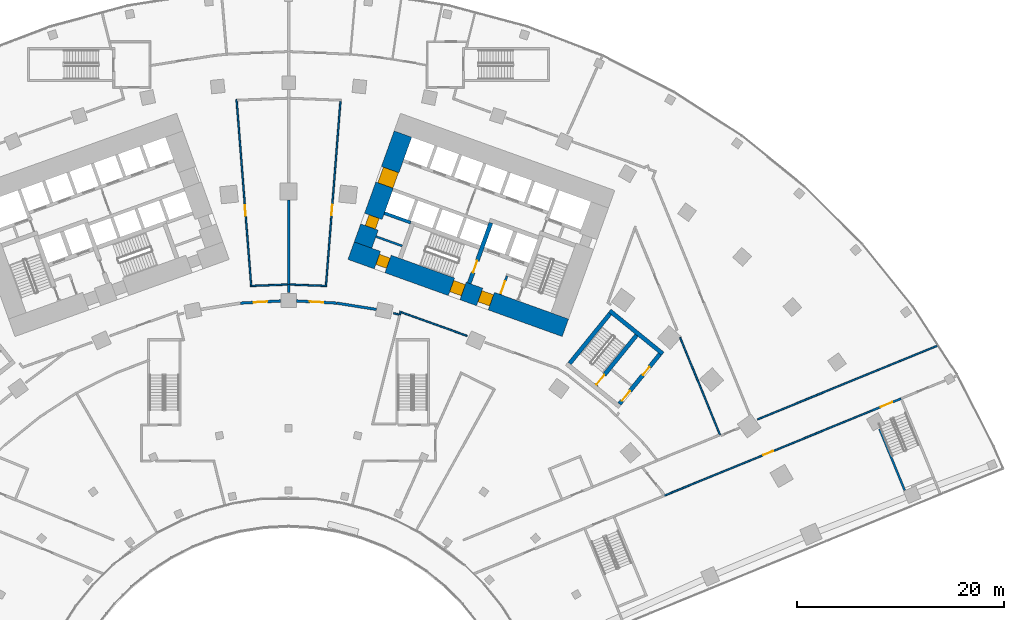
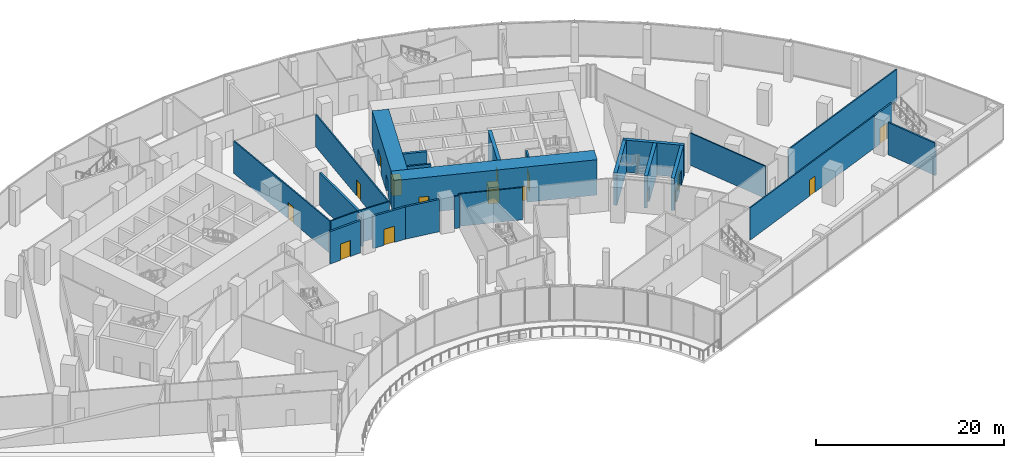
# One storey, part 26 of 39: 27 walls, 16 doors, 16 openings.
"""IFC4 building model written with IfcOpenShell, lengths in metres."""

from ifc_helpers import new_model, si_unit, direction, frame, frame_2d, origin, place, context, subcontext, project, spatial, rectangle, extrude, material, layer, layer_set, type_object, element, fill, save


model = new_model("IFC4")

# Units and contexts
model_context = context("Model", 3, precision=1e-05, world=origin(), true_north=direction((0.0, 1.0)))
body_context = subcontext(model_context, "Body", "Model", "MODEL_VIEW")
ifc_project = project(units=[si_unit("LENGTHUNIT", "METRE"), si_unit("AREAUNIT", "SQUARE_METRE"), si_unit("VOLUMEUNIT", "CUBIC_METRE"), si_unit("PLANEANGLEUNIT", "RADIAN"), si_unit("MASSUNIT", "GRAM", prefix="KILO")], contexts=[model_context])

# Site, building, storey
site_placement = place(None, origin())
site = spatial("IfcSite", under=ifc_project, at=site_placement, CompositionType="ELEMENT")
building_placement = place(site_placement, origin())
building = spatial("IfcBuilding", under=site, at=building_placement, Name="Stone Belt Terrace Tower", CompositionType="ELEMENT")
storey_placement = place(building_placement, frame((0.0, 0.0, 16.199951171875)))
storey = spatial("IfcBuildingStorey", under=building, at=storey_placement, Name="L03", CompositionType="ELEMENT", Elevation=16.199951171875)

# Wall
ifc_material_1 = material(Name="Concrete B30", Category="concrete")
ifc_layer_1 = layer(ifc_material_1, 0.25)
ifc_layer_set_1 = layer_set([ifc_layer_1], Name="Compartment wall 250")
wall_type_1 = type_object("IfcWallType", Name="Compartment wall 250", PredefinedType="SOLIDWALL", material=ifc_layer_set_1)
wall_1_placement = place(storey_placement, frame((0.0, 46.0, 0.0), z_axis=(0.0, 0.0, 1.0), x_axis=(0.0, 1.0, 0.0)))
element("IfcWall", 1, at=wall_1_placement, inside=storey, type_object=wall_type_1, Name="Compartment wall L03 8", PredefinedType="SOLIDWALL", context=body_context, shape_type="SweptSolid", body=[
    extrude(rectangle(XDim=8.155029296875, YDim=0.25, at=frame_2d((4.07763671875, 0.0))), origin(), (0.0, 0.0, 1.0), 4.199951171875),
])

# Wall, openings, doors
ifc_material_2 = material(Name="Concrete B80", Category="concrete")
ifc_layer_2 = layer(ifc_material_2, 1.800048828125)
ifc_layer_set_2 = layer_set([ifc_layer_2], Name="Core wall 1800 B80")
wall_type_2 = type_object("IfcWallType", Name="Core wall 1800 B80", PredefinedType="SHEAR", material=ifc_layer_set_2)
wall_2_placement = place(storey_placement, frame((6.039306640625, 49.265380859375, 0.0), z_axis=(0.0, 0.0, 1.0), x_axis=(0.940921642213, -0.338624368902, 0.0)))
wall_2 = element("IfcWall", 2, at=wall_2_placement, inside=storey, type_object=wall_type_2, Name="Core B wall concave L03", PredefinedType="SHEAR", context=body_context, shape_type="SweptSolid", body=[
    extrude(rectangle(XDim=22.0, YDim=1.800048828125, at=frame_2d((11.0, 0.0))), origin(), (0.0, 0.0, 1.0), 4.60009765625),
])
opening_1_placement = place(wall_2_placement, frame((13.199951171875, 0.0, 0.0)))
opening_1 = element("IfcOpeningElement", 3, at=opening_1_placement, cuts=wall_2, Name="Opening L03-C18", PredefinedType="OPENING", context=body_context, shape_type="SweptSolid", body=[
    extrude(rectangle(XDim=1.199951171875, YDim=2.10009765625, at=frame_2d((0.60009765625, 1.050048828125))), frame((0.0, 0.909912109375, 0.0), z_axis=(0.0, -1.0, 0.0), x_axis=(1.0, 0.0, 0.0)), (0.0, 0.0, 1.0), 1.820068359375),
])
opening_2_placement = place(wall_2_placement, frame((10.300048828125, 0.0, 0.0)))
opening_2 = element("IfcOpeningElement", 4, at=opening_2_placement, cuts=wall_2, Name="Opening L03-C20", PredefinedType="OPENING", context=body_context, shape_type="SweptSolid", body=[
    extrude(rectangle(XDim=1.199951171875, YDim=2.10009765625, at=frame_2d((0.60009765625, 1.050048828125))), frame((0.0, 0.909912109375, 0.0), z_axis=(0.0, -1.0, 0.0), x_axis=(1.0, 0.0, 0.0)), (0.0, 0.0, 1.0), 1.820068359375),
])
opening_3_placement = place(wall_2_placement, frame((2.699951171875, 0.0, 0.0)))
opening_3 = element("IfcOpeningElement", 5, at=opening_3_placement, cuts=wall_2, Name="Opening L03-C22", PredefinedType="OPENING", context=body_context, shape_type="SweptSolid", body=[
    extrude(rectangle(XDim=1.10009765625, YDim=2.10009765625, at=frame_2d((0.550048828125, 1.050048828125))), frame((0.0, 0.909912109375, 0.0), z_axis=(0.0, -1.0, 0.0), x_axis=(1.0, 0.0, 0.0)), (0.0, 0.0, 1.0), 1.820068359375),
])
ifc_material_3 = material(Name="Timber door leaf", Category="wood")
door_type_1 = type_object("IfcDoorType", Name="Core room door 1100", OperationType="SINGLE_SWING_LEFT", PredefinedType="DOOR", material=ifc_material_3)
door_1_placement = place(opening_3_placement, origin())
door_1 = element("IfcDoor", 6, at=door_1_placement, inside=storey, type_object=door_type_1, Name="Door to Pipe riser core B", OperationType="SINGLE_SWING_LEFT", OverallHeight=2.10009765625, OverallWidth=1.10009765625, PredefinedType="DOOR", context=body_context, shape_type="SweptSolid", body=[
    extrude(rectangle(XDim=1.10009765625, YDim=2.10009765625, at=frame_2d((0.550048828125, 1.050048828125))), frame((0.0, 0.60498046875, 0.0), z_axis=(0.0, -1.0, 0.0), x_axis=(1.0, 0.0, 0.0)), (0.0, 0.0, 1.0), 1.050048828125),
])
fill(opening_3, door_1)
ifc_material_4 = material(Name="Steel door leaf", Category="steel")
door_type_2 = type_object("IfcDoorType", Name="Fire-fighting lobby door 1200", OperationType="SINGLE_SWING_LEFT", PredefinedType="DOOR", material=ifc_material_4)
door_2_placement = place(opening_1_placement, origin())
door_2 = element("IfcDoor", 7, at=door_2_placement, inside=storey, type_object=door_type_2, Name="Fire-fighting lobby door core B", OperationType="SINGLE_SWING_LEFT", OverallHeight=2.10009765625, OverallWidth=1.199951171875, PredefinedType="DOOR", context=body_context, shape_type="SweptSolid", body=[
    extrude(rectangle(XDim=1.199951171875, YDim=2.10009765625, at=frame_2d((0.60009765625, 1.050048828125))), frame((0.0, 0.655029296875, 0.0), z_axis=(0.0, -1.0, 0.0), x_axis=(1.0, 0.0, 0.0)), (0.0, 0.0, 1.0), 1.14990234375),
])
fill(opening_1, door_2)
door_type_3 = type_object("IfcDoorType", Name="Stair door 1200", OperationType="SINGLE_SWING_LEFT", PredefinedType="DOOR", material=ifc_material_4)
door_3_placement = place(opening_2_placement, origin())
door_3 = element("IfcDoor", 8, at=door_3_placement, inside=storey, type_object=door_type_3, Name="Stair 2 exit door core B", OperationType="SINGLE_SWING_RIGHT", OverallHeight=2.10009765625, OverallWidth=1.199951171875, PredefinedType="DOOR", context=body_context, shape_type="SweptSolid", body=[
    extrude(rectangle(XDim=1.199951171875, YDim=2.10009765625, at=frame_2d((0.60009765625, 1.050048828125))), frame((0.0, 0.655029296875, 0.0), z_axis=(0.0, -1.0, 0.0), x_axis=(1.0, 0.0, 0.0)), (0.0, 0.0, 1.0), 1.14990234375),
])
fill(opening_2, door_3)

wall_3_placement = place(storey_placement, frame((7.19091796875, 49.8076171875, 0.0), z_axis=(0.0, 0.0, 1.0), x_axis=(0.338632255135, 0.940918804033, 0.0)))
wall_3 = element("IfcWall", 9, at=wall_3_placement, inside=storey, type_object=wall_type_2, Name="Core B wall end_a L03", PredefinedType="SHEAR", context=body_context, shape_type="SweptSolid", body=[
    extrude(rectangle(XDim=11.39990234375, YDim=1.800048828125, at=frame_2d((5.699951171875, 0.0))), origin(), (0.0, 0.0, 1.0), 4.60009765625),
])
opening_4_placement = place(wall_3_placement, frame((6.14990234375, 0.0, 0.0)))
opening_4 = element("IfcOpeningElement", 10, at=opening_4_placement, cuts=wall_3, Name="Opening L03-C15", PredefinedType="OPENING", context=body_context, shape_type="SweptSolid", body=[
    extrude(rectangle(XDim=1.60009765625, YDim=2.10009765625, at=frame_2d((0.800048828125, 1.050048828125))), frame((0.0, 0.909912109375, 0.0), z_axis=(0.0, -1.0, 0.0), x_axis=(1.0, 0.0, 0.0)), (0.0, 0.0, 1.0), 1.820068359375),
])
opening_5_placement = place(wall_3_placement, frame((1.85009765625, 0.0, 0.0)))
opening_5 = element("IfcOpeningElement", 11, at=opening_5_placement, cuts=wall_3, Name="Opening L03-C21", PredefinedType="OPENING", context=body_context, shape_type="SweptSolid", body=[
    extrude(rectangle(XDim=1.10009765625, YDim=2.10009765625, at=frame_2d((0.550048828125, 1.050048828125))), frame((0.0, 0.909912109375, 0.0), z_axis=(0.0, -1.0, 0.0), x_axis=(1.0, 0.0, 0.0)), (0.0, 0.0, 1.0), 1.820068359375),
])
door_4_placement = place(opening_5_placement, origin())
door_4 = element("IfcDoor", 12, at=door_4_placement, inside=storey, type_object=door_type_1, Name="Door to Accessible WC core B", OperationType="SINGLE_SWING_RIGHT", OverallHeight=2.10009765625, OverallWidth=1.10009765625, PredefinedType="DOOR", context=body_context, shape_type="SweptSolid", body=[
    extrude(rectangle(XDim=1.10009765625, YDim=2.10009765625, at=frame_2d((0.550048828125, 1.050048828125))), frame((0.0, 0.44482421875, 0.0), z_axis=(0.0, -1.0, 0.0), x_axis=(1.0, 0.0, 0.0)), (0.0, 0.0, 1.0), 1.050048828125),
])
fill(opening_5, door_4)
ifc_material_5 = material(Name="Glazed aluminium door leaf", Category="aluminium")
door_type_4 = type_object("IfcDoorType", Name="Lift lobby entrance door 1600", OperationType="DOUBLE_DOOR_SINGLE_SWING", PredefinedType="DOOR", material=ifc_material_5)
door_5_placement = place(opening_4_placement, origin())
door_5 = element("IfcDoor", 13, at=door_5_placement, inside=storey, type_object=door_type_4, Name="Lift lobby entrance door core B", OperationType="DOUBLE_DOOR_SINGLE_SWING", OverallHeight=2.10009765625, OverallWidth=1.60009765625, PredefinedType="DOOR", context=body_context, shape_type="SweptSolid", body=[
    extrude(rectangle(XDim=1.60009765625, YDim=2.10009765625, at=frame_2d((0.800048828125, 1.050048828125))), frame((0.0, 0.69482421875, 0.0), z_axis=(0.0, -1.0, 0.0), x_axis=(1.0, 0.0, 0.0)), (0.0, 0.0, 1.0), 1.550048828125),
])
fill(opening_4, door_5)

# Wall, opening, door
ifc_material_6 = material(Name="Fire-resistant glazing in steel frame", Category="steel")
ifc_layer_3 = layer(ifc_material_6, 0.25)
ifc_layer_set_3 = layer_set([ifc_layer_3], Name="Glazed compartment fire screen 250")
wall_type_3 = type_object("IfcWallType", Name="Glazed compartment fire screen 250", PredefinedType="PARTITIONING", material=ifc_layer_set_3)
wall_4_placement = place(storey_placement, frame((-4.6435546875, 44.2001953125, 0.0), z_axis=(0.0, 0.0, 1.0), x_axis=(0.998555259213, 0.053734479607, 0.0)))
wall_4 = element("IfcWall", 14, at=wall_4_placement, inside=storey, type_object=wall_type_3, Name="Compartment fire screen L03 5", PredefinedType="PARTITIONING", context=body_context, shape_type="SweptSolid", body=[
    extrude(rectangle(XDim=3.880126953125, YDim=0.25, at=frame_2d((1.93994140625, 0.0))), origin(), (0.0, 0.0, 1.0), 4.199951171875),
])
opening_6_placement = place(wall_4_placement, frame((1.2900390625, 0.0, 0.0)))
opening_6 = element("IfcOpeningElement", 15, at=opening_6_placement, cuts=wall_4, Name="Opening L03-P37", PredefinedType="OPENING", context=body_context, shape_type="SweptSolid", body=[
    extrude(rectangle(XDim=1.300048828125, YDim=2.10009765625, at=frame_2d((0.64990234375, 1.050048828125))), frame((0.0, 0.135009765625, 0.0), z_axis=(0.0, -1.0, 0.0), x_axis=(1.0, 0.0, 0.0)), (0.0, 0.0, 1.0), 0.27001953125),
])
ifc_material_7 = material(Name="Steel framed fire door leaf", Category="steel")
door_type_5 = type_object("IfcDoorType", Name="Fire door 1300 x 2100 EI 60", OperationType="SINGLE_SWING_LEFT", PredefinedType="DOOR", material=ifc_material_7)
door_6_placement = place(opening_6_placement, origin())
door_6 = element("IfcDoor", 16, at=door_6_placement, inside=storey, type_object=door_type_5, Name="Fire door 1300 x 2100 EI 60", OperationType="SINGLE_SWING_LEFT", OverallHeight=2.10009765625, OverallWidth=1.300048828125, PredefinedType="DOOR", context=body_context, shape_type="SweptSolid", body=[
    extrude(rectangle(XDim=1.300048828125, YDim=2.10009765625, at=frame_2d((0.64990234375, 1.050048828125))), frame((0.0, 0.02490234375, 0.0), z_axis=(0.0, -1.0, 0.0), x_axis=(1.0, 0.0, 0.0)), (0.0, 0.0, 1.0), 0.050048828125),
])
fill(opening_6, door_6)

# Wall
wall_5_placement = place(storey_placement, frame((0.0, 45.215087890625, 0.0), z_axis=(0.0, 0.0, 1.0), x_axis=(0.0, 1.0, 0.0)))
element("IfcWall", 17, at=wall_5_placement, inside=storey, type_object=wall_type_3, Name="Compartment fire screen L03 6", PredefinedType="PARTITIONING", context=body_context, shape_type="SweptSolid", body=[
    extrude(rectangle(XDim=0.784912109375, YDim=0.25, at=frame_2d((0.392578125, 0.0))), origin(), (0.0, 0.0, 1.0), 4.199951171875),
])

# Wall, opening, door
wall_6_placement = place(storey_placement, frame((0.76904296875, 44.40869140625, 0.0), z_axis=(0.0, 0.0, 1.0), x_axis=(0.998555259213, -0.053734479607, 0.0)))
wall_6 = element("IfcWall", 18, at=wall_6_placement, inside=storey, type_object=wall_type_3, Name="Compartment fire screen L03 7", PredefinedType="PARTITIONING", context=body_context, shape_type="SweptSolid", body=[
    extrude(rectangle(XDim=3.880126953125, YDim=0.25, at=frame_2d((1.93994140625, 0.0))), origin(), (0.0, 0.0, 1.0), 4.199951171875),
])
opening_7_placement = place(wall_6_placement, frame((1.2900390625, 0.0, 0.0)))
opening_7 = element("IfcOpeningElement", 19, at=opening_7_placement, cuts=wall_6, Name="Opening L03-P36", PredefinedType="OPENING", context=body_context, shape_type="SweptSolid", body=[
    extrude(rectangle(XDim=1.300048828125, YDim=2.10009765625, at=frame_2d((0.64990234375, 1.050048828125))), frame((0.0, 0.135009765625, 0.0), z_axis=(0.0, -1.0, 0.0), x_axis=(1.0, 0.0, 0.0)), (0.0, 0.0, 1.0), 0.27001953125),
])
door_7_placement = place(opening_7_placement, origin())
door_7 = element("IfcDoor", 20, at=door_7_placement, inside=storey, type_object=door_type_5, Name="Fire door 1300 x 2100 EI 60", OperationType="SINGLE_SWING_LEFT", OverallHeight=2.10009765625, OverallWidth=1.300048828125, PredefinedType="DOOR", context=body_context, shape_type="SweptSolid", body=[
    extrude(rectangle(XDim=1.300048828125, YDim=2.10009765625, at=frame_2d((0.64990234375, 1.050048828125))), frame((0.0, 0.02490234375, 0.0), z_axis=(0.0, -1.0, 0.0), x_axis=(1.0, 0.0, 0.0)), (0.0, 0.0, 1.0), 0.050048828125),
])
fill(opening_7, door_7)

# Walls
wall_7_placement = place(storey_placement, frame((4.656494140625, 44.198974609375, 0.0), z_axis=(0.0, 0.0, 1.0), x_axis=(0.98758230791, -0.157102466888, 0.0)))
element("IfcWall", 21, at=wall_7_placement, inside=storey, type_object=wall_type_3, Name="Compartment fire screen L03 11", PredefinedType="PARTITIONING", context=body_context, shape_type="SweptSolid", body=[
    extrude(rectangle(XDim=3.87109375, YDim=0.25, at=frame_2d((1.935546875, 0.0))), origin(), (0.0, 0.0, 1.0), 4.199951171875),
])
ifc_layer_4 = layer(ifc_material_2, 0.300048828125)
ifc_layer_set_4 = layer_set([ifc_layer_4], Name="Lift shaft wall 300")
wall_type_4 = type_object("IfcWallType", Name="Lift shaft wall 300", PredefinedType="SHEAR", material=ifc_layer_set_4)
wall_8_placement = place(storey_placement, frame((11.797119140625, 51.975830078125, 0.0), z_axis=(0.0, 0.0, 1.0), x_axis=(-0.940910465161, 0.33865542451, 0.0)))
element("IfcWall", 22, at=wall_8_placement, inside=storey, type_object=wall_type_4, Name="Core B wall", PredefinedType="SHEAR", context=body_context, shape_type="SweptSolid", body=[
    extrude(rectangle(XDim=2.69970703125, YDim=0.300048828125, at=frame_2d((1.349853515625, 0.0))), origin(), (0.0, 0.0, 1.0), 4.199951171875),
])

# Wall, opening, door
ifc_material_8 = material(Name="Gypsum board on steel stud partition", Category="steel")
ifc_layer_5 = layer(ifc_material_8, 0.14990234375)
ifc_layer_set_5 = layer_set([ifc_layer_5], Name="Podium partition 150")
wall_type_5 = type_object("IfcWallType", Name="Podium partition 150", PredefinedType="PARTITIONING", material=ifc_layer_set_5)
wall_9_placement = place(storey_placement, frame((-5.02587890625, 63.874755859375, 0.0), z_axis=(0.0, 0.0, 1.0), x_axis=(0.078360103875, -0.996925119616, 0.0)))
wall_9 = element("IfcWall", 23, at=wall_9_placement, inside=storey, type_object=wall_type_5, Name="Podium partition 150", PredefinedType="PARTITIONING", context=body_context, shape_type="SweptSolid", body=[
    extrude(rectangle(XDim=18.1455078125, YDim=0.14990234375, at=frame_2d((9.07275390625, 0.0))), origin(), (0.0, 0.0, 1.0), 4.199951171875),
])
opening_8_placement = place(wall_9_placement, frame((10.25732421875, 0.0, 0.0)))
opening_8 = element("IfcOpeningElement", 24, at=opening_8_placement, cuts=wall_9, Name="Opening L03-P17", PredefinedType="OPENING", context=body_context, shape_type="SweptSolid", body=[
    extrude(rectangle(XDim=1.0, YDim=2.10009765625, at=frame_2d((0.5, 1.050048828125))), frame((0.0, 0.0849609375, 0.0), z_axis=(0.0, -1.0, 0.0), x_axis=(1.0, 0.0, 0.0)), (0.0, 0.0, 1.0), 0.169921875),
])
ifc_material_9 = material(Name="Steel framed door leaf", Category="steel")
door_type_6 = type_object("IfcDoorType", Name="Podium door single 1000", OperationType="SINGLE_SWING_LEFT", PredefinedType="DOOR", material=ifc_material_9)
door_8_placement = place(opening_8_placement, origin())
door_8 = element("IfcDoor", 25, at=door_8_placement, inside=storey, type_object=door_type_6, Name="Podium door single 1000", OperationType="SINGLE_SWING_LEFT", OverallHeight=2.10009765625, OverallWidth=1.0, PredefinedType="DOOR", context=body_context, shape_type="SweptSolid", body=[
    extrude(rectangle(XDim=1.0, YDim=2.10009765625, at=frame_2d((0.5, 1.050048828125))), frame((0.0, 0.02490234375, 0.0), z_axis=(0.0, -1.0, 0.0), x_axis=(1.0, 0.0, 0.0)), (0.0, 0.0, 1.0), 0.050048828125),
])
fill(opening_8, door_8)

# Walls
wall_10_placement = place(storey_placement, frame((-3.534912109375, 45.86279296875, 0.0), z_axis=(0.0, 0.0, 1.0), x_axis=(0.999247905954, 0.038776570847, 0.0)))
element("IfcWall", 26, at=wall_10_placement, inside=storey, type_object=wall_type_5, Name="Podium partition 150", PredefinedType="PARTITIONING", context=body_context, shape_type="SweptSolid", body=[
    extrude(rectangle(XDim=3.41259765625, YDim=0.14990234375, at=frame_2d((1.706298828125, 0.0))), origin(), (0.0, 0.0, 1.0), 4.199951171875),
])
wall_11_placement = place(storey_placement, frame((0.125, 45.9951171875, 0.0), z_axis=(0.0, 0.0, 1.0), x_axis=(0.999250202395, -0.038717347713, 0.0)))
element("IfcWall", 27, at=wall_11_placement, inside=storey, type_object=wall_type_5, Name="Podium partition 150", PredefinedType="PARTITIONING", context=body_context, shape_type="SweptSolid", body=[
    extrude(rectangle(XDim=3.562744140625, YDim=0.14990234375, at=frame_2d((1.78125, 0.0))), origin(), (0.0, 0.0, 1.0), 4.199951171875),
])

# Wall, opening, door
wall_12_placement = place(storey_placement, frame((3.615966796875, 45.934814453125, 0.0), z_axis=(0.0, 0.0, 1.0), x_axis=(0.078351480624, 0.996925797381, 0.0)))
wall_12 = element("IfcWall", 28, at=wall_12_placement, inside=storey, type_object=wall_type_5, Name="Podium partition 150", PredefinedType="PARTITIONING", context=body_context, shape_type="SweptSolid", body=[
    extrude(rectangle(XDim=17.84521484375, YDim=0.14990234375, at=frame_2d((8.922607421875, 0.0))), origin(), (0.0, 0.0, 1.0), 4.199951171875),
])
opening_9_placement = place(wall_12_placement, frame((6.76806640625, 0.0, 0.0)))
opening_9 = element("IfcOpeningElement", 29, at=opening_9_placement, cuts=wall_12, Name="Opening L03-P18", PredefinedType="OPENING", context=body_context, shape_type="SweptSolid", body=[
    extrude(rectangle(XDim=1.0, YDim=2.10009765625, at=frame_2d((0.5, 1.050048828125))), frame((0.0, 0.0849609375, 0.0), z_axis=(0.0, -1.0, 0.0), x_axis=(1.0, 0.0, 0.0)), (0.0, 0.0, 1.0), 0.169921875),
])
door_9_placement = place(opening_9_placement, origin())
door_9 = element("IfcDoor", 30, at=door_9_placement, inside=storey, type_object=door_type_6, Name="Podium door single 1000", OperationType="SINGLE_SWING_RIGHT", OverallHeight=2.10009765625, OverallWidth=1.0, PredefinedType="DOOR", context=body_context, shape_type="SweptSolid", body=[
    extrude(rectangle(XDim=1.0, YDim=2.10009765625, at=frame_2d((0.5, 1.050048828125))), frame((0.0, 0.02490234375, 0.0), z_axis=(0.0, -1.0, 0.0), x_axis=(1.0, 0.0, 0.0)), (0.0, 0.0, 1.0), 0.050048828125),
])
fill(opening_9, door_9)

# Walls
wall_13_placement = place(storey_placement, frame((10.13818359375, 43.23046875, 0.0), z_axis=(0.0, 0.0, 1.0), x_axis=(0.966249732603, -0.257607170408, 0.0)))
element("IfcWall", 31, at=wall_13_placement, inside=storey, type_object=wall_type_5, Name="Podium partition 150", PredefinedType="PARTITIONING", context=body_context, shape_type="SweptSolid", body=[
    extrude(rectangle(XDim=0.5478515625, YDim=0.14990234375, at=frame_2d((0.27392578125, 0.0))), origin(), (0.0, 0.0, 1.0), 4.199951171875),
])
wall_14_placement = place(storey_placement, frame((10.739990234375, 43.070068359375, 0.0), z_axis=(0.0, 0.0, 1.0), x_axis=(0.242851311007, 0.970063524076, 0.0)))
element("IfcWall", 32, at=wall_14_placement, inside=storey, type_object=wall_type_5, Name="Podium partition 150", PredefinedType="PARTITIONING", context=body_context, shape_type="SweptSolid", body=[
    extrude(rectangle(XDim=0.364013671875, YDim=0.14990234375, at=frame_2d((0.18212890625, 0.0))), origin(), (0.0, 0.0, 1.0), 4.199951171875),
])
wall_15_placement = place(storey_placement, frame((10.880859375, 43.324462890625, 0.0), z_axis=(0.0, 0.0, 1.0), x_axis=(0.941002259836, -0.338400276277, 0.0)))
element("IfcWall", 33, at=wall_15_placement, inside=storey, type_object=wall_type_5, Name="Podium partition 150", PredefinedType="PARTITIONING", context=body_context, shape_type="SweptSolid", body=[
    extrude(rectangle(XDim=6.771484375, YDim=0.14990234375, at=frame_2d((3.3857421875, 0.0))), origin(), (0.0, 0.0, 1.0), 4.199951171875),
])
wall_16_placement = place(storey_placement, frame((37.822265625, 40.882080078125, 0.0), z_axis=(0.0, 0.0, 1.0), x_axis=(0.379243967023, -0.925296716452, 0.0)))
element("IfcWall", 34, at=wall_16_placement, inside=storey, type_object=wall_type_5, Name="Podium partition 150", PredefinedType="PARTITIONING", context=body_context, shape_type="SweptSolid", body=[
    extrude(rectangle(XDim=10.171875, YDim=0.14990234375, at=frame_2d((5.0859375, 0.0))), origin(), (0.0, 0.0, 1.0), 4.199951171875),
])

# Wall, opening, door
wall_17_placement = place(storey_placement, frame((36.300048828125, 25.60009765625, 0.0), z_axis=(0.0, 0.0, 1.0), x_axis=(0.925327227709, 0.379169515733, 0.0)))
wall_17 = element("IfcWall", 35, at=wall_17_placement, inside=storey, type_object=wall_type_5, Name="Podium partition 150", PredefinedType="PARTITIONING", context=body_context, shape_type="SweptSolid", body=[
    extrude(rectangle(XDim=21.678955078125, YDim=0.14990234375, at=frame_2d((10.83935546875, 0.0))), origin(), (0.0, 0.0, 1.0), 4.199951171875),
])
opening_10_placement = place(wall_17_placement, frame((10.33935546875, 0.0, 0.0)))
opening_10 = element("IfcOpeningElement", 36, at=opening_10_placement, cuts=wall_17, Name="Opening L03-P23", PredefinedType="OPENING", context=body_context, shape_type="SweptSolid", body=[
    extrude(rectangle(XDim=1.0, YDim=2.10009765625, at=frame_2d((0.5, 1.050048828125))), frame((0.0, 0.0849609375, 0.0), z_axis=(0.0, -1.0, 0.0), x_axis=(1.0, 0.0, 0.0)), (0.0, 0.0, 1.0), 0.169921875),
])
door_10_placement = place(opening_10_placement, origin())
door_10 = element("IfcDoor", 37, at=door_10_placement, inside=storey, type_object=door_type_6, Name="Podium door single 1000", OperationType="SINGLE_SWING_LEFT", OverallHeight=2.10009765625, OverallWidth=1.0, PredefinedType="DOOR", context=body_context, shape_type="SweptSolid", body=[
    extrude(rectangle(XDim=1.0, YDim=2.10009765625, at=frame_2d((0.5, 1.050048828125))), frame((0.0, 0.02490234375, 0.0), z_axis=(0.0, -1.0, 0.0), x_axis=(1.0, 0.0, 0.0)), (0.0, 0.0, 1.0), 0.050048828125),
])
fill(opening_10, door_10)

# Wall
wall_18_placement = place(storey_placement, frame((45.29345703125, 32.964111328125, 0.0), z_axis=(0.0, 0.0, 1.0), x_axis=(0.925299264419, 0.379237750318, 0.0)))
element("IfcWall", 38, at=wall_18_placement, inside=storey, type_object=wall_type_5, Name="Podium partition 150", PredefinedType="PARTITIONING", context=body_context, shape_type="SweptSolid", body=[
    extrude(rectangle(XDim=18.887451171875, YDim=0.14990234375, at=frame_2d((9.44384765625, 0.0))), origin(), (0.0, 0.0, 1.0), 4.199951171875),
])

# Wall, opening, door
ifc_layer_6 = layer(ifc_material_1, 0.199951171875)
ifc_layer_set_6 = layer_set([ifc_layer_6], Name="Podium stair and shaft wall 200")
wall_type_6 = type_object("IfcWallType", Name="Podium stair and shaft wall 200", PredefinedType="SOLIDWALL", material=ifc_layer_set_6)
wall_19_placement = place(storey_placement, frame((56.360107421875, 33.820068359375, 0.0), z_axis=(0.0, 0.0, 1.0), x_axis=(0.924815674246, 0.380415521068, 0.0)))
wall_19 = element("IfcWall", 39, at=wall_19_placement, inside=storey, type_object=wall_type_6, Name="Podium stair and shaft wall 200", PredefinedType="SOLIDWALL", context=body_context, shape_type="SweptSolid", body=[
    extrude(rectangle(XDim=3.049072265625, YDim=0.199951171875, at=frame_2d((1.5244140625, 0.0))), origin(), (0.0, 0.0, 1.0), 4.199951171875),
])
opening_11_placement = place(wall_19_placement, frame((0.924560546875, 0.0, 0.0)))
opening_11 = element("IfcOpeningElement", 40, at=opening_11_placement, cuts=wall_19, Name="Opening L03-P04", PredefinedType="OPENING", context=body_context, shape_type="SweptSolid", body=[
    extrude(rectangle(XDim=1.199951171875, YDim=2.10009765625, at=frame_2d((0.60009765625, 1.050048828125))), frame((0.0, 0.10986328125, 0.0), z_axis=(0.0, -1.0, 0.0), x_axis=(1.0, 0.0, 0.0)), (0.0, 0.0, 1.0), 0.219970703125),
])
door_type_7 = type_object("IfcDoorType", Name="Podium door fire stair 1200", OperationType="SINGLE_SWING_LEFT", PredefinedType="DOOR", material=ifc_material_9)
door_11_placement = place(opening_11_placement, origin())
door_11 = element("IfcDoor", 41, at=door_11_placement, inside=storey, type_object=door_type_7, Name="Podium door fire stair 1200", OperationType="SINGLE_SWING_RIGHT", OverallHeight=2.10009765625, OverallWidth=1.199951171875, PredefinedType="DOOR", context=body_context, shape_type="SweptSolid", body=[
    extrude(rectangle(XDim=1.199951171875, YDim=2.10009765625, at=frame_2d((0.60009765625, 1.050048828125))), frame((0.0, 0.02490234375, 0.0), z_axis=(0.0, -1.0, 0.0), x_axis=(1.0, 0.0, 0.0)), (0.0, 0.0, 1.0), 0.050048828125),
])
fill(opening_11, door_11)

# Wall
wall_20_placement = place(storey_placement, frame((57.094482421875, 32.02880859375, 0.0), z_axis=(0.0, 0.0, 1.0), x_axis=(0.379309770486, -0.92526974338, 0.0)))
element("IfcWall", 42, at=wall_20_placement, inside=storey, type_object=wall_type_6, Name="Podium stair and shaft wall 200", PredefinedType="SOLIDWALL", context=body_context, shape_type="SweptSolid", body=[
    extrude(rectangle(XDim=6.388916015625, YDim=0.199951171875, at=frame_2d((3.1943359375, 0.0))), origin(), (0.0, 0.0, 1.0), 4.199951171875),
])

# Wall, opening, door
ifc_material_10 = material(Name="Concrete masonry block", Category="masonry")
ifc_layer_7 = layer(ifc_material_10, 0.199951171875)
ifc_layer_set_7 = layer_set([ifc_layer_7], Name="Rated lobby wall 200")
wall_type_7 = type_object("IfcWallType", Name="Rated lobby wall 200", PredefinedType="PARTITIONING", material=ifc_layer_set_7)
wall_21_placement = place(storey_placement, frame((20.4580078125, 45.032958984375, 0.0), z_axis=(0.0, 0.0, 1.0), x_axis=(0.338573865316, 0.940939816208, 0.0)))
wall_21 = element("IfcWall", 43, at=wall_21_placement, inside=storey, type_object=wall_type_7, Name="Core B wall", PredefinedType="PARTITIONING", context=body_context, shape_type="SweptSolid", body=[
    extrude(rectangle(XDim=1.900146484375, YDim=0.199951171875, at=frame_2d((0.9501953125, 0.0))), origin(), (0.0, 0.0, 1.0), 4.199951171875),
])
opening_12_placement = place(wall_21_placement, frame((0.14990234375, 0.0, 0.0)))
opening_12 = element("IfcOpeningElement", 44, at=opening_12_placement, cuts=wall_21, Name="Opening L03-C17", PredefinedType="OPENING", context=body_context, shape_type="SweptSolid", body=[
    extrude(rectangle(XDim=1.199951171875, YDim=2.10009765625, at=frame_2d((0.60009765625, 1.050048828125))), frame((0.0, 0.10986328125, 0.0), z_axis=(0.0, -1.0, 0.0), x_axis=(1.0, 0.0, 0.0)), (0.0, 0.0, 1.0), 0.219970703125),
])
door_12_placement = place(opening_12_placement, origin())
door_12 = element("IfcDoor", 45, at=door_12_placement, inside=storey, type_object=door_type_3, Name="Stair airlock door core B", OperationType="SINGLE_SWING_LEFT", OverallHeight=2.10009765625, OverallWidth=1.199951171875, PredefinedType="DOOR", context=body_context, shape_type="SweptSolid", body=[
    extrude(rectangle(XDim=1.199951171875, YDim=2.10009765625, at=frame_2d((0.60009765625, 1.050048828125))), frame((0.0, 0.02490234375, 0.0), z_axis=(0.0, -1.0, 0.0), x_axis=(1.0, 0.0, 0.0)), (0.0, 0.0, 1.0), 0.050048828125),
])
fill(opening_12, door_12)

# Wall
wall_22_placement = place(storey_placement, frame((10.984619140625, 49.717529296875, 0.0), z_axis=(0.0, 0.0, 1.0), x_axis=(-0.940920834877, 0.338626612206, 0.0)))
element("IfcWall", 46, at=wall_22_placement, inside=storey, type_object=wall_type_7, Name="Core B wall", PredefinedType="PARTITIONING", context=body_context, shape_type="SweptSolid", body=[
    extrude(rectangle(XDim=2.699951171875, YDim=0.199951171875, at=frame_2d((1.35009765625, 0.0))), origin(), (0.0, 0.0, 1.0), 4.199951171875),
])

# Wall, opening, door
ifc_layer_8 = layer(ifc_material_2, 0.39990234375)
ifc_layer_set_8 = layer_set([ifc_layer_8], Name="Stair enclosure wall 400")
wall_type_8 = type_object("IfcWallType", Name="Stair enclosure wall 400", PredefinedType="SHEAR", material=ifc_layer_set_8)
wall_23_placement = place(storey_placement, frame((17.447021484375, 46.116455078125, 0.0), z_axis=(0.0, 0.0, 1.0), x_axis=(0.33860791464, 0.940927563707, 0.0)))
wall_23 = element("IfcWall", 47, at=wall_23_placement, inside=storey, type_object=wall_type_8, Name="Core B wall", PredefinedType="SHEAR", context=body_context, shape_type="SweptSolid", body=[
    extrude(rectangle(XDim=6.199951171875, YDim=0.39990234375, at=frame_2d((3.10009765625, 0.0))), origin(), (0.0, 0.0, 1.0), 4.199951171875),
])
opening_13_placement = place(wall_23_placement, frame((1.10009765625, 0.0, 0.0)))
opening_13 = element("IfcOpeningElement", 48, at=opening_13_placement, cuts=wall_23, Name="Opening L03-C19", PredefinedType="OPENING", context=body_context, shape_type="SweptSolid", body=[
    extrude(rectangle(XDim=1.199951171875, YDim=2.10009765625, at=frame_2d((0.60009765625, 1.050048828125))), frame((0.0, 0.2099609375, 0.0), z_axis=(0.0, -1.0, 0.0), x_axis=(1.0, 0.0, 0.0)), (0.0, 0.0, 1.0), 0.419921875),
])
door_13_placement = place(opening_13_placement, origin())
door_13 = element("IfcDoor", 49, at=door_13_placement, inside=storey, type_object=door_type_3, Name="Stair 2 door core B", OperationType="SINGLE_SWING_LEFT", OverallHeight=2.10009765625, OverallWidth=1.199951171875, PredefinedType="DOOR", context=body_context, shape_type="SweptSolid", body=[
    extrude(rectangle(XDim=1.199951171875, YDim=2.10009765625, at=frame_2d((0.60009765625, 1.050048828125))), frame((0.0, 0.02490234375, 0.0), z_axis=(0.0, -1.0, 0.0), x_axis=(1.0, 0.0, 0.0)), (0.0, 0.0, 1.0), 0.050048828125),
])
fill(opening_13, door_13)

# Walls
wall_24_placement = place(storey_placement, frame((31.02783203125, 43.46337890625, 0.0), z_axis=(0.0, 0.0, 1.0), x_axis=(0.776413760801, -0.630223509589, 0.0)))
element("IfcWall", 50, at=wall_24_placement, inside=storey, type_object=wall_type_8, Name="Exit stair ST3B wall", PredefinedType="SHEAR", context=body_context, shape_type="SweptSolid", body=[
    extrude(rectangle(XDim=6.599853515625, YDim=0.39990234375, at=frame_2d((3.2998046875, 0.0))), origin(), (0.0, 0.0, 1.0), 4.199951171875),
])
wall_25_placement = place(storey_placement, frame((27.149658203125, 38.3681640625, 0.0), z_axis=(0.0, 0.0, 1.0), x_axis=(0.630211551729, 0.776423466973, 0.0)))
element("IfcWall", 51, at=wall_25_placement, inside=storey, type_object=wall_type_8, Name="Exit stair ST3B wall", PredefinedType="SHEAR", context=body_context, shape_type="SweptSolid", body=[
    extrude(rectangle(XDim=6.199951171875, YDim=0.39990234375, at=frame_2d((3.10009765625, 0.0))), origin(), (0.0, 0.0, 1.0), 4.199951171875),
])

# Wall, openings, doors
wall_26_placement = place(storey_placement, frame((31.963623046875, 34.460693359375, 0.0), z_axis=(0.0, 0.0, 1.0), x_axis=(0.630192283849, 0.776439106033, 0.0)))
wall_26 = element("IfcWall", 52, at=wall_26_placement, inside=storey, type_object=wall_type_8, Name="Exit stair ST3B wall", PredefinedType="SHEAR", context=body_context, shape_type="SweptSolid", body=[
    extrude(rectangle(XDim=6.199951171875, YDim=0.39990234375, at=frame_2d((3.10009765625, 0.0))), origin(), (0.0, 0.0, 1.0), 4.199951171875),
])
opening_14_placement = place(wall_26_placement, frame((0.39990234375, 0.0, 0.0)))
opening_14 = element("IfcOpeningElement", 53, at=opening_14_placement, cuts=wall_26, Name="Opening L03-C27", PredefinedType="OPENING", context=body_context, shape_type="SweptSolid", body=[
    extrude(rectangle(XDim=1.199951171875, YDim=2.10009765625, at=frame_2d((0.60009765625, 1.050048828125))), frame((0.0, 0.2099609375, 0.0), z_axis=(0.0, -1.0, 0.0), x_axis=(1.0, 0.0, 0.0)), (0.0, 0.0, 1.0), 0.419921875),
])
opening_15_placement = place(wall_26_placement, frame((3.60009765625, 0.0, 0.0)))
opening_15 = element("IfcOpeningElement", 54, at=opening_15_placement, cuts=wall_26, Name="Opening L03-C28", PredefinedType="OPENING", context=body_context, shape_type="SweptSolid", body=[
    extrude(rectangle(XDim=1.0, YDim=2.10009765625, at=frame_2d((0.5, 1.050048828125))), frame((0.0, 0.2099609375, 0.0), z_axis=(0.0, -1.0, 0.0), x_axis=(1.0, 0.0, 0.0)), (0.0, 0.0, 1.0), 0.419921875),
])
door_type_8 = type_object("IfcDoorType", Name="Core room door 1000", OperationType="SINGLE_SWING_LEFT", PredefinedType="DOOR", material=ifc_material_3)
door_14_placement = place(opening_15_placement, origin())
door_14 = element("IfcDoor", 55, at=door_14_placement, inside=storey, type_object=door_type_8, Name="Door to stair pressurisation plant room ST3B", OperationType="SINGLE_SWING_RIGHT", OverallHeight=2.10009765625, OverallWidth=1.0, PredefinedType="DOOR", context=body_context, shape_type="SweptSolid", body=[
    extrude(rectangle(XDim=1.0, YDim=2.10009765625, at=frame_2d((0.5, 1.050048828125))), frame((0.0, 0.02490234375, 0.0), z_axis=(0.0, -1.0, 0.0), x_axis=(1.0, 0.0, 0.0)), (0.0, 0.0, 1.0), 0.050048828125),
])
fill(opening_15, door_14)
door_type_9 = type_object("IfcDoorType", Name="Stair airlock door 1200", OperationType="SINGLE_SWING_LEFT", PredefinedType="DOOR", material=ifc_material_4)
door_15_placement = place(opening_14_placement, origin())
door_15 = element("IfcDoor", 56, at=door_15_placement, inside=storey, type_object=door_type_9, Name="Stair airlock door ST3B", OperationType="SINGLE_SWING_RIGHT", OverallHeight=2.10009765625, OverallWidth=1.199951171875, PredefinedType="DOOR", context=body_context, shape_type="SweptSolid", body=[
    extrude(rectangle(XDim=1.199951171875, YDim=2.10009765625, at=frame_2d((0.60009765625, 1.050048828125))), frame((0.0, 0.02490234375, 0.0), z_axis=(0.0, -1.0, 0.0), x_axis=(1.0, 0.0, 0.0)), (0.0, 0.0, 1.0), 0.050048828125),
])
fill(opening_14, door_15)

# Wall, opening, door
wall_27_placement = place(storey_placement, frame((29.7119140625, 36.288330078125, 0.0), z_axis=(0.0, 0.0, 1.0), x_axis=(0.630192283849, 0.776439106033, 0.0)))
wall_27 = element("IfcWall", 57, at=wall_27_placement, inside=storey, type_object=wall_type_8, Name="Exit stair ST3B wall", PredefinedType="SHEAR", context=body_context, shape_type="SweptSolid", body=[
    extrude(rectangle(XDim=6.199951171875, YDim=0.39990234375, at=frame_2d((3.10009765625, 0.0))), origin(), (0.0, 0.0, 1.0), 4.199951171875),
])
opening_16_placement = place(wall_27_placement, frame((0.050048828125, 0.0, 0.0)))
opening_16 = element("IfcOpeningElement", 58, at=opening_16_placement, cuts=wall_27, Name="Opening L03-C26", PredefinedType="OPENING", context=body_context, shape_type="SweptSolid", body=[
    extrude(rectangle(XDim=1.199951171875, YDim=2.10009765625, at=frame_2d((0.60009765625, 1.050048828125))), frame((0.0, 0.2099609375, 0.0), z_axis=(0.0, -1.0, 0.0), x_axis=(1.0, 0.0, 0.0)), (0.0, 0.0, 1.0), 0.419921875),
])
door_16_placement = place(opening_16_placement, origin())
door_16 = element("IfcDoor", 59, at=door_16_placement, inside=storey, type_object=door_type_3, Name="Stair door ST3B", OperationType="SINGLE_SWING_LEFT", OverallHeight=2.10009765625, OverallWidth=1.199951171875, PredefinedType="DOOR", context=body_context, shape_type="SweptSolid", body=[
    extrude(rectangle(XDim=1.199951171875, YDim=2.10009765625, at=frame_2d((0.60009765625, 1.050048828125))), frame((0.0, 0.02490234375, 0.0), z_axis=(0.0, -1.0, 0.0), x_axis=(1.0, 0.0, 0.0)), (0.0, 0.0, 1.0), 0.050048828125),
])
fill(opening_16, door_16)

save(model, "model.ifc")
